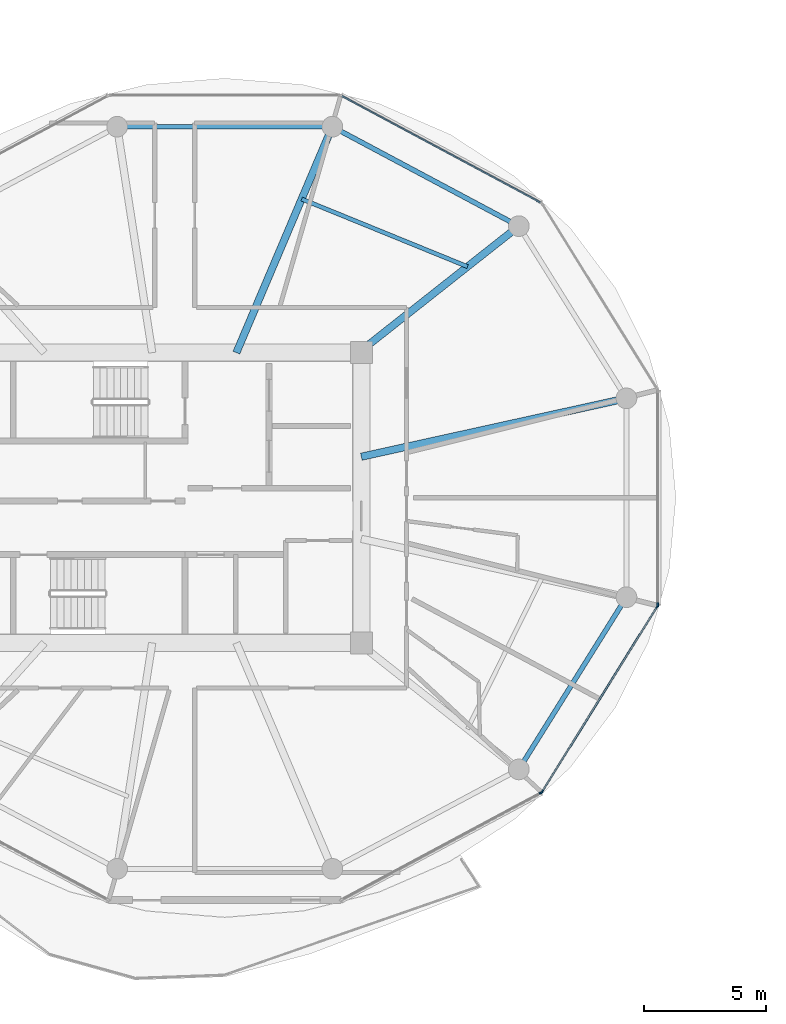
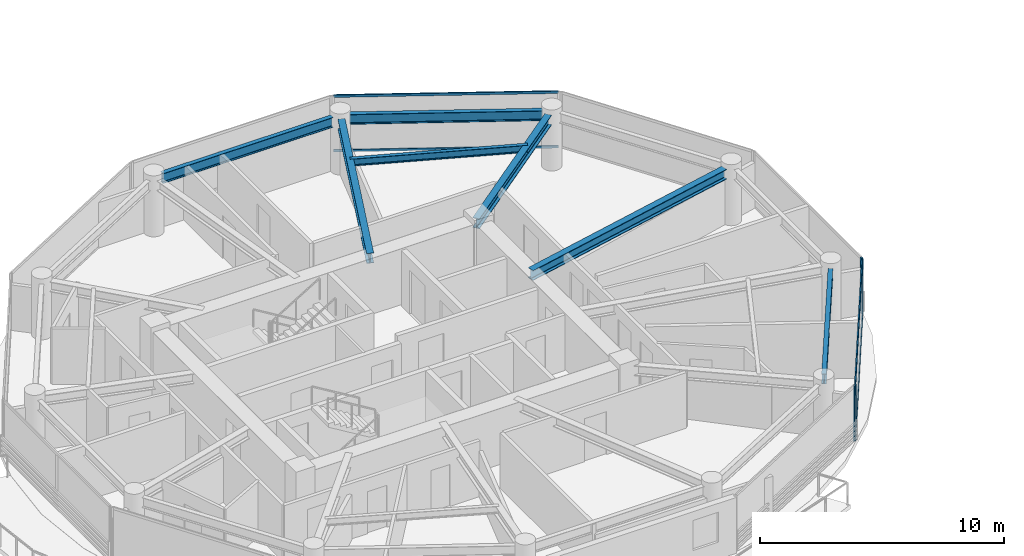
# One storey, part 5 of 24: 8 members, 7 beams, 4 elements without a shape of their own.
"""IFC4 building model written with IfcOpenShell, lengths in metres."""

from ifc_helpers import new_model, si_unit, direction, frame, origin, origin_2d, place, context, subcontext, project, spatial, rectangle, i_section, extrude, source, transform, mapped, material, layer, layer_set, material_profile, profile_set, type_object, type_shapes, element, aggregate, save


model = new_model("IFC4")

# Units and contexts
model_context = context("Model", 3, precision=1e-05, world=origin(), true_north=direction((0.0, 1.0)))
body_context = subcontext(model_context, "Body", "Model", "MODEL_VIEW")
ifc_project = project(units=[si_unit("LENGTHUNIT", "METRE"), si_unit("AREAUNIT", "SQUARE_METRE"), si_unit("VOLUMEUNIT", "CUBIC_METRE"), si_unit("PLANEANGLEUNIT", "RADIAN"), si_unit("MASSUNIT", "GRAM", prefix="KILO")], contexts=[model_context])

# Site, building, storey
site_placement = place(None, origin())
site = spatial("IfcSite", under=ifc_project, at=site_placement, CompositionType="ELEMENT")
building_placement = place(site_placement, origin())
building = spatial("IfcBuilding", under=site, at=building_placement, Name="Norrkilde Senior Care Towers", CompositionType="ELEMENT")
storey_placement = place(building_placement, frame((0.0, 0.0, 102.35009765625)))
storey = spatial("IfcBuildingStorey", under=building, at=storey_placement, Name="L31", CompositionType="ELEMENT", Elevation=102.35009765625)

# Beams
ifc_material_1 = material(Name="Steel S355", Category="steel")
ifc_material_profile_1 = material_profile(ifc_material_1, i_section(OverallWidth=0.199951171875, OverallDepth=0.5, WebThickness=0.01025390625, FlangeThickness=0.01611328125, FilletRadius=0.02099609375, at=origin_2d()), Name="IPE 500")
ifc_profile_set_1 = profile_set([ifc_material_profile_1], Name="Steel S355")
beam_type_1 = type_object("IfcBeamType", Name="Perimeter Ring Spandrel Z2 IPE500", PredefinedType="SPANDREL", material=ifc_profile_set_1)
shared_shape_1 = source(origin(), body_context, "Body", "SweptSolid", [
    extrude(i_section(OverallWidth=0.199951171875, OverallDepth=0.5, WebThickness=0.01025390625, FlangeThickness=0.01611328125, FilletRadius=0.02099609375, at=origin_2d()), origin(), (0.0, 0.0, 1.0), 7.55615234375),
])
beam_1_placement = place(storey_placement, frame((-13.689697265625, -10.810546875, 2.539794921875), z_axis=(0.529981514254, 0.848009194849, 0.0), x_axis=(-0.848009194849, 0.529981514254, 0.0)))
element("IfcBeam", 1, at=beam_1_placement, inside=storey, type_object=beam_type_1, Name="L31 Drum W Perimeter Spandrel 11", PredefinedType="SPANDREL", context=body_context, shape_type="MappedRepresentation", body=[
    mapped(shared_shape_1, transform((0.0, 0.0, 0.0), x_axis=(1.0, 0.0, 0.0), y_axis=(0.0, 1.0, 0.0), z_axis=(0.0, 0.0, 1.0), scale=1.0)),
])
ifc_material_profile_2 = material_profile(ifc_material_1, i_section(OverallWidth=0.300048828125, OverallDepth=0.5, WebThickness=0.014404296875, FlangeThickness=0.028076171875, FilletRadius=0.027099609375, at=origin_2d()), Name="HEB 500")
ifc_profile_set_2 = profile_set([ifc_material_profile_2], Name="Steel S355")
beam_type_2 = type_object("IfcBeamType", Name="Radial Floor Beam Z2 HEB500", PredefinedType="BEAM", material=ifc_profile_set_2)
shared_shape_2 = source(origin(), body_context, "Body", "SweptSolid", [
    extrude(i_section(OverallWidth=0.300048828125, OverallDepth=0.5, WebThickness=0.014404296875, FlangeThickness=0.028076171875, FilletRadius=0.027099609375, at=origin_2d()), origin(), (0.0, 0.0, 1.0), 10.744384765625),
])
beam_2_placement = place(storey_placement, frame((-20.35009765625, 1.683837890625, 2.539794921875), z_axis=(0.976618711422, 0.214978818724, 0.0), x_axis=(-0.214978818724, 0.976618711422, 0.0)))
element("IfcBeam", 2, at=beam_2_placement, inside=storey, type_object=beam_type_2, Name="L31 Drum W Radial Floor Beam 01", PredefinedType="BEAM", context=body_context, shape_type="MappedRepresentation", body=[
    mapped(shared_shape_2, transform((0.0, 0.0, 0.0), x_axis=(1.0, 0.0, 0.0), y_axis=(0.0, 1.0, 0.0), z_axis=(0.0, 0.0, 1.0), scale=1.0)),
])
shared_shape_3 = source(origin(), body_context, "Body", "SweptSolid", [
    extrude(i_section(OverallWidth=0.199951171875, OverallDepth=0.5, WebThickness=0.01025390625, FlangeThickness=0.01611328125, FilletRadius=0.02099609375, at=origin_2d()), origin(), (0.0, 0.0, 1.0), 7.892333984375),
])
beam_3_placement = place(storey_placement, frame((-14.233642578125, 11.318115234375, 2.539794921875), z_axis=(-0.882350372282, 0.47059305194, 0.0), x_axis=(-0.47059305194, -0.882350372282, 0.0)))
element("IfcBeam", 3, at=beam_3_placement, inside=storey, type_object=beam_type_1, Name="L31 Drum W Perimeter Spandrel 02", PredefinedType="SPANDREL", context=body_context, shape_type="MappedRepresentation", body=[
    mapped(shared_shape_3, transform((0.0, 0.0, 0.0), x_axis=(1.0, 0.0, 0.0), y_axis=(0.0, 1.0, 0.0), z_axis=(0.0, 0.0, 1.0), scale=1.0)),
])
shared_shape_4 = source(origin(), body_context, "Body", "SweptSolid", [
    extrude(i_section(OverallWidth=0.300048828125, OverallDepth=0.5, WebThickness=0.014404296875, FlangeThickness=0.028076171875, FilletRadius=0.027099609375, at=origin_2d()), origin(), (0.0, 0.0, 1.0), 7.985595703125),
])
beam_4_placement = place(storey_placement, frame((-20.463623046875, 5.949951171875, 2.539794921875), z_axis=(0.784858505144, 0.619675017169, 0.0), x_axis=(-0.619675017169, 0.784858505144, 0.0)))
element("IfcBeam", 4, at=beam_4_placement, inside=storey, type_object=beam_type_2, Name="L31 Drum W Radial Floor Beam 02", PredefinedType="BEAM", context=body_context, shape_type="MappedRepresentation", body=[
    mapped(shared_shape_4, transform((0.0, 0.0, 0.0), x_axis=(1.0, 0.0, 0.0), y_axis=(0.0, 1.0, 0.0), z_axis=(0.0, 0.0, 1.0), scale=1.0)),
])
shared_shape_5 = source(origin(), body_context, "Body", "SweptSolid", [
    extrude(i_section(OverallWidth=0.199951171875, OverallDepth=0.5, WebThickness=0.01025390625, FlangeThickness=0.01611328125, FilletRadius=0.02099609375, at=origin_2d()), origin(), (0.0, 0.0, 1.0), 8.0556640625),
])
type_shapes(beam_type_1, [shared_shape_1, shared_shape_3, shared_shape_5])
beam_5_placement = place(storey_placement, frame((-21.922119140625, 15.21337890625, 2.539794921875), z_axis=(-1.0, 0.0, 0.0), x_axis=(0.0, -1.0, 0.0)))
element("IfcBeam", 5, at=beam_5_placement, inside=storey, type_object=beam_type_1, Name="L31 Drum W Perimeter Spandrel 03", PredefinedType="SPANDREL", context=body_context, shape_type="MappedRepresentation", body=[
    mapped(shared_shape_5, transform((0.0, 0.0, 0.0), x_axis=(1.0, 0.0, 0.0), y_axis=(0.0, 1.0, 0.0), z_axis=(0.0, 0.0, 1.0), scale=1.0)),
])
shared_shape_6 = source(origin(), body_context, "Body", "SweptSolid", [
    extrude(i_section(OverallWidth=0.300048828125, OverallDepth=0.5, WebThickness=0.014404296875, FlangeThickness=0.028076171875, FilletRadius=0.027099609375, at=origin_2d()), origin(), (0.0, 0.0, 1.0), 9.679443359375),
])
type_shapes(beam_type_2, [shared_shape_2, shared_shape_4, shared_shape_6])
beam_6_placement = place(storey_placement, frame((-25.472412109375, 5.949951171875, 2.539794921875), z_axis=(0.390998033479, 0.920391513333, 0.0), x_axis=(-0.920391513333, 0.390998033479, 0.0)))
element("IfcBeam", 6, at=beam_6_placement, inside=storey, type_object=beam_type_2, Name="L31 Drum W Radial Floor Beam 03", PredefinedType="BEAM", context=body_context, shape_type="MappedRepresentation", body=[
    mapped(shared_shape_6, transform((0.0, 0.0, 0.0), x_axis=(1.0, 0.0, 0.0), y_axis=(0.0, 1.0, 0.0), z_axis=(0.0, 0.0, 1.0), scale=1.0)),
])
ifc_material_profile_3 = material_profile(ifc_material_1, i_section(OverallWidth=0.169921875, OverallDepth=0.360107421875, WebThickness=0.008056640625, FlangeThickness=0.0126953125, FilletRadius=0.01806640625, at=origin_2d()), Name="IPE 360")
ifc_profile_set_3 = profile_set([ifc_material_profile_3], Name="Steel S355")
beam_type_3 = type_object("IfcBeamType", Name="Secondary Floor Joist IPE360", PredefinedType="JOIST", material=ifc_profile_set_3)
shared_shape_7 = source(origin(), body_context, "Body", "SweptSolid", [
    extrude(i_section(OverallWidth=0.169921875, OverallDepth=0.360107421875, WebThickness=0.008056640625, FlangeThickness=0.0126953125, FilletRadius=0.01806640625, at=origin_2d()), origin(), (0.0, 0.0, 1.0), 7.343505859375),
])
type_shapes(beam_type_3, [shared_shape_7])
beam_7_placement = place(storey_placement, frame((-15.99609375, 9.47705078125, 2.60986328125), z_axis=(-0.926021784767, 0.377470070519, 0.0), x_axis=(-0.377470070519, -0.926021784767, 0.0)))
element("IfcBeam", 7, at=beam_7_placement, inside=storey, type_object=beam_type_3, Name="L31 Drum W Secondary Floor Joist 1", PredefinedType="JOIST", context=body_context, shape_type="MappedRepresentation", body=[
    mapped(shared_shape_7, transform((0.0, 0.0, 0.0), x_axis=(1.0, 0.0, 0.0), y_axis=(0.0, 1.0, 0.0), z_axis=(0.0, 0.0, 1.0), scale=1.0)),
])

# Curtain wall, member
ifc_material_2 = material(Name="Triple Low-E Insulated Glazing", Category="glass")
ifc_layer = layer(ifc_material_2, 0.195068359375)
ifc_layer_set = layer_set([ifc_layer], Name="Triple Low-E Insulated Glazing")
curtain_wall_type = type_object("IfcCurtainWallType", Name="CW3 Zone 2 Assisted Living Curtain Wall", PredefinedType="NOTDEFINED", material=ifc_layer_set)
curtain_wall_1_placement = place(storey_placement, origin())
curtain_wall_1 = element("IfcCurtainWall", 8, at=curtain_wall_1_placement, inside=storey, type_object=curtain_wall_type, Name="L31 Drum W Curtain Wall 09", PredefinedType="NOTDEFINED")
ifc_material_3 = material(Name="Anodised Aluminium", Category="aluminium")
ifc_material_profile_4 = material_profile(ifc_material_3, rectangle(XDim=0.06494140625, YDim=0.159912109375, at=origin_2d()), Name="ALU MULL 65x160")
ifc_profile_set_4 = profile_set([ifc_material_profile_4], Name="Anodised Aluminium")
member_type_1 = type_object("IfcMemberType", Name="Curtain Wall Mullion Z1-Z2 65x160", PredefinedType="MULLION", material=ifc_profile_set_4)
shared_shape_8 = source(origin(), body_context, "Body", "SweptSolid", [
    extrude(rectangle(XDim=0.06494140625, YDim=0.159912109375, at=origin_2d()), origin(), (0.0, 0.0, 1.0), 2.789794921875),
])
type_shapes(member_type_1, [shared_shape_8])
member_1_placement = place(storey_placement, frame((-12.98193359375, -12.0927734375, 0.0), z_axis=(0.0, 0.0, 1.0), x_axis=(0.472769402511, -0.881186184668, 0.0)))
member_1 = element("IfcMember", 9, at=member_1_placement, type_object=member_type_1, Name="CW-3 mullion 1", PredefinedType="MULLION", context=body_context, shape_type="MappedRepresentation", body=[
    mapped(shared_shape_8, transform((0.0, 0.0, 0.0), x_axis=(1.0, 0.0, 0.0), y_axis=(0.0, 1.0, 0.0), z_axis=(0.0, 0.0, 1.0), scale=1.0)),
])
aggregate(curtain_wall_1, [member_1])

# Curtain wall, members
curtain_wall_2_placement = place(storey_placement, origin())
curtain_wall_2 = element("IfcCurtainWall", 10, at=curtain_wall_2_placement, inside=storey, type_object=curtain_wall_type, Name="L31 Drum W Curtain Wall 10", PredefinedType="NOTDEFINED")
member_2_placement = place(storey_placement, frame((-8.21337890625, -4.4482421875, 0.0), z_axis=(0.0, 0.0, 1.0), x_axis=(0.849410171862, -0.527733228002, 0.0)))
member_2 = element("IfcMember", 11, at=member_2_placement, type_object=member_type_1, Name="CW-3 mullion 1", PredefinedType="MULLION", context=body_context, shape_type="MappedRepresentation", body=[
    mapped(shared_shape_8, transform((0.0, 0.0, 0.0), x_axis=(1.0, 0.0, 0.0), y_axis=(0.0, 1.0, 0.0), z_axis=(0.0, 0.0, 1.0), scale=1.0)),
])
member_3_placement = place(storey_placement, frame((-12.936279296875, -12.0498046875, 0.0), z_axis=(0.0, 0.0, 1.0), x_axis=(0.849410171862, -0.527733228002, 0.0)))
member_3 = element("IfcMember", 12, at=member_3_placement, type_object=member_type_1, Name="CW-3 mullion 2", PredefinedType="MULLION", context=body_context, shape_type="MappedRepresentation", body=[
    mapped(shared_shape_8, transform((0.0, 0.0, 0.0), x_axis=(1.0, 0.0, 0.0), y_axis=(0.0, 1.0, 0.0), z_axis=(0.0, 0.0, 1.0), scale=1.0)),
])

# Curtain wall, member
curtain_wall_3_placement = place(storey_placement, origin())
curtain_wall_3 = element("IfcCurtainWall", 13, at=curtain_wall_3_placement, inside=storey, type_object=curtain_wall_type, Name="L31 Drum W Curtain Wall 11", PredefinedType="NOTDEFINED")
member_4_placement = place(storey_placement, frame((-8.1962890625, -4.38818359375, 0.0), z_axis=(0.0, 0.0, 1.0), x_axis=(1.0, 0.0, 0.0)))
member_4 = element("IfcMember", 14, at=member_4_placement, type_object=member_type_1, Name="CW-3 mullion 2", PredefinedType="MULLION", context=body_context, shape_type="MappedRepresentation", body=[
    mapped(shared_shape_8, transform((0.0, 0.0, 0.0), x_axis=(1.0, 0.0, 0.0), y_axis=(0.0, 1.0, 0.0), z_axis=(0.0, 0.0, 1.0), scale=1.0)),
])
aggregate(curtain_wall_3, [member_4])

# Member
ifc_material_profile_5 = material_profile(ifc_material_3, rectangle(XDim=0.06005859375, YDim=0.1201171875, at=origin_2d()), Name="ALU TRAN 60x120")
ifc_profile_set_5 = profile_set([ifc_material_profile_5], Name="Anodised Aluminium")
member_type_2 = type_object("IfcMemberType", Name="Curtain Wall Transom Typical 60x120", PredefinedType="USERDEFINED", material=ifc_profile_set_5)
shared_shape_9 = source(origin(), body_context, "Body", "SweptSolid", [
    extrude(rectangle(XDim=0.06005859375, YDim=0.1201171875, at=origin_2d()), origin(), (0.0, 0.0, 1.0), 8.88427734375),
])
member_5_placement = place(storey_placement, frame((-8.23046875, -4.475830078125, 0.02978515625), z_axis=(-0.527749293309, -0.849400190377, 0.0), x_axis=(0.849400190377, -0.527749293309, 0.0)))
member_5 = element("IfcMember", 15, at=member_5_placement, type_object=member_type_2, Name="CW-3 transom 1.1", ObjectType="TRANSOM", PredefinedType="USERDEFINED", context=body_context, shape_type="MappedRepresentation", body=[
    mapped(shared_shape_9, transform((0.0, 0.0, 0.0), x_axis=(1.0, 0.0, 0.0), y_axis=(0.0, 1.0, 0.0), z_axis=(0.0, 0.0, 1.0), scale=1.0)),
])

member_6_placement = place(storey_placement, frame((-8.23046875, -4.475830078125, 2.760009765625), z_axis=(-0.527749293309, -0.849400190377, 0.0), x_axis=(0.849400190377, -0.527749293309, 0.0)))
member_6 = element("IfcMember", 16, at=member_6_placement, type_object=member_type_2, Name="CW-3 transom 1.2", ObjectType="TRANSOM", PredefinedType="USERDEFINED", context=body_context, shape_type="MappedRepresentation", body=[
    mapped(shared_shape_9, transform((0.0, 0.0, 0.0), x_axis=(1.0, 0.0, 0.0), y_axis=(0.0, 1.0, 0.0), z_axis=(0.0, 0.0, 1.0), scale=1.0)),
])

aggregate(curtain_wall_2, [member_2, member_3, member_5, member_6])

# Curtain wall, members
curtain_wall_4_placement = place(storey_placement, origin())
curtain_wall_4 = element("IfcCurtainWall", 17, at=curtain_wall_4_placement, inside=storey, type_object=curtain_wall_type, Name="L31 Drum W Curtain Wall 01", PredefinedType="NOTDEFINED")
shared_shape_10 = source(origin(), body_context, "Body", "SweptSolid", [
    extrude(rectangle(XDim=0.06005859375, YDim=0.1201171875, at=origin_2d()), origin(), (0.0, 0.0, 1.0), 9.220458984375),
])
type_shapes(member_type_2, [shared_shape_9, shared_shape_10])
member_7_placement = place(storey_placement, frame((-21.1357421875, 16.46728515625, 0.02978515625), z_axis=(0.881188517866, -0.472765053681, 0.0), x_axis=(0.472765053681, 0.881188517866, 0.0)))
member_7 = element("IfcMember", 18, at=member_7_placement, type_object=member_type_2, Name="CW-3 transom 1.1", ObjectType="TRANSOM", PredefinedType="USERDEFINED", context=body_context, shape_type="MappedRepresentation", body=[
    mapped(shared_shape_10, transform((0.0, 0.0, 0.0), x_axis=(1.0, 0.0, 0.0), y_axis=(0.0, 1.0, 0.0), z_axis=(0.0, 0.0, 1.0), scale=1.0)),
])
member_8_placement = place(storey_placement, frame((-21.1357421875, 16.46728515625, 2.760009765625), z_axis=(0.881188517866, -0.472765053681, 0.0), x_axis=(0.472765053681, 0.881188517866, 0.0)))
member_8 = element("IfcMember", 19, at=member_8_placement, type_object=member_type_2, Name="CW-3 transom 1.2", ObjectType="TRANSOM", PredefinedType="USERDEFINED", context=body_context, shape_type="MappedRepresentation", body=[
    mapped(shared_shape_10, transform((0.0, 0.0, 0.0), x_axis=(1.0, 0.0, 0.0), y_axis=(0.0, 1.0, 0.0), z_axis=(0.0, 0.0, 1.0), scale=1.0)),
])
aggregate(curtain_wall_4, [member_7, member_8])

save(model, "model.ifc")
